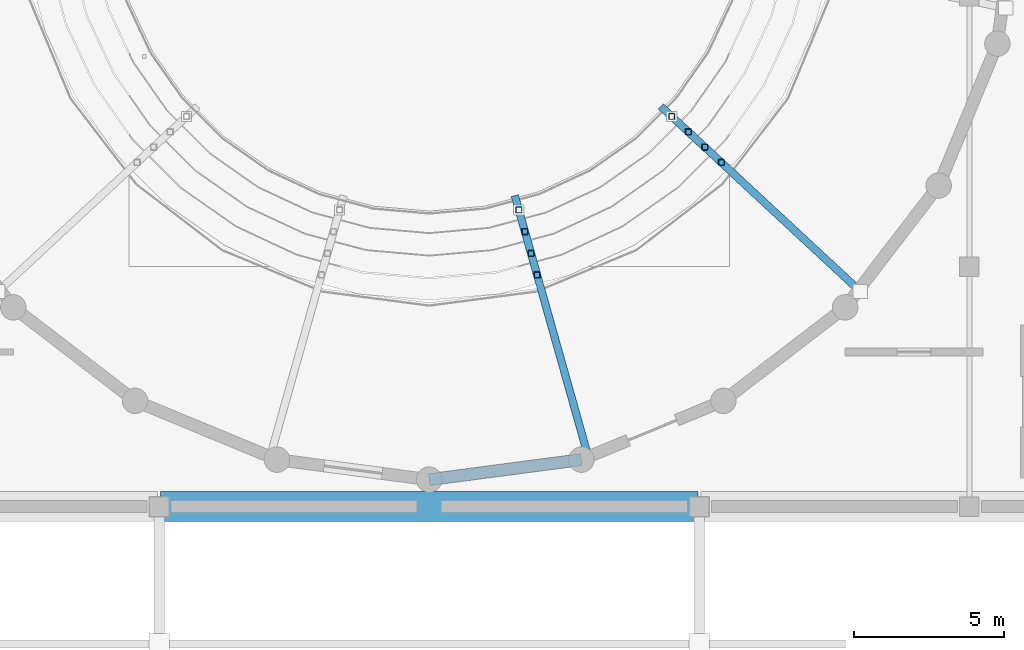
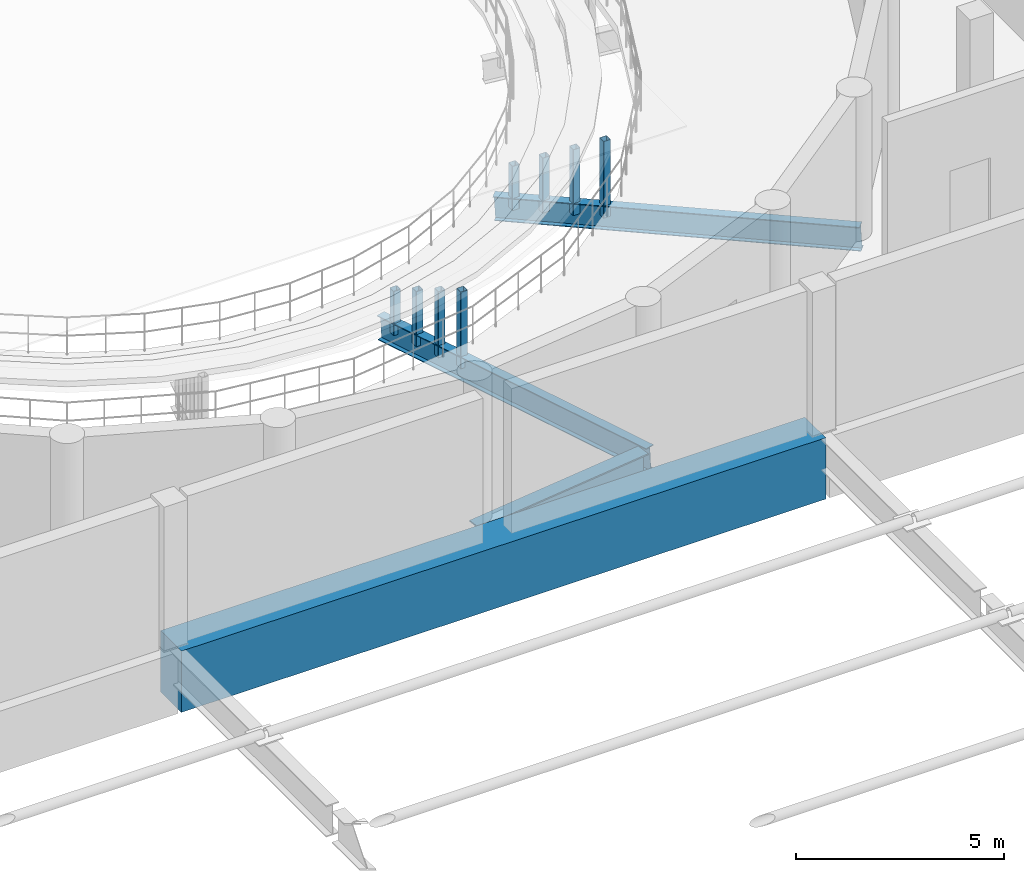
# One storey, part 18 of 54: 8 members, 4 beams.
"""IFC4 building model written with IfcOpenShell, lengths in metres."""

from ifc_helpers import new_model, si_unit, direction, frame, origin, origin_2d, place, context, subcontext, project, spatial, rectangle, hollow_rectangle, i_section, extrude, material, material_profile, profile_set, type_object, element, save


model = new_model("IFC4")

# Units and contexts
model_context = context("Model", 3, precision=1e-05, world=origin(), true_north=direction((0.0, 1.0)))
body_context = subcontext(model_context, "Body", "Model", "MODEL_VIEW")
ifc_project = project(units=[si_unit("LENGTHUNIT", "METRE"), si_unit("AREAUNIT", "SQUARE_METRE"), si_unit("VOLUMEUNIT", "CUBIC_METRE"), si_unit("PLANEANGLEUNIT", "RADIAN"), si_unit("MASSUNIT", "GRAM", prefix="KILO")], contexts=[model_context])

# Site, building, storey
site_placement = place(None, origin())
site = spatial("IfcSite", under=ifc_project, at=site_placement, CompositionType="ELEMENT")
building_placement = place(site_placement, origin())
building = spatial("IfcBuilding", under=site, at=building_placement, Name="Marnock Terrace Opera House", CompositionType="ELEMENT")
storey_placement = place(building_placement, frame((0.0, 0.0, 19.199951171875)))
storey = spatial("IfcBuildingStorey", under=building, at=storey_placement, Name="L04", CompositionType="ELEMENT", Elevation=19.199951171875)

# Beams
ifc_material_1 = material(Name="Steel Grade 350 Welded (AS/NZS 3679.2)", Category="steel")
ifc_material_profile_1 = material_profile(ifc_material_1, i_section(OverallWidth=0.25, OverallDepth=0.699951171875, WebThickness=0.011962890625, FlangeThickness=0.02001953125, at=origin_2d()))
ifc_profile_set_1 = profile_set([ifc_material_profile_1], Name="Steel Grade 350 Welded (AS/NZS 3679.2)")
beam_type_1 = type_object("IfcBeamType", Name="BM-RAKER-700", PredefinedType="BEAM", material=ifc_profile_set_1)
beam_1_placement = place(storey_placement, frame((84.857421875, 50.34423828125, -1.14990234375), z_axis=(0.270420407323, -0.961096752439, 0.056265760049), x_axis=(0.962621711454, 0.270849479668, 0.0)))
element("IfcBeam", 1, at=beam_1_placement, inside=storey, type_object=beam_type_1, Name="L04 Auditorium raker girder 5", PredefinedType="BEAM", context=body_context, shape_type="SweptSolid", body=[
    extrude(i_section(OverallWidth=0.25, OverallDepth=0.699951171875, WebThickness=0.011962890625, FlangeThickness=0.02001953125, at=origin_2d()), origin(), (0.0, 0.0, 1.0), 9.064208984375),
])
beam_2_placement = place(storey_placement, frame((89.733642578125, 53.32421875, -1.14990234375), z_axis=(0.73190120059, -0.679083865845, 0.056264871128), x_axis=(0.68016132476, 0.733062461391, 0.0)))
element("IfcBeam", 2, at=beam_2_placement, inside=storey, type_object=beam_type_1, Name="L04 Auditorium raker girder 6", PredefinedType="BEAM", context=body_context, shape_type="SweptSolid", body=[
    extrude(i_section(OverallWidth=0.25, OverallDepth=0.699951171875, WebThickness=0.011962890625, FlangeThickness=0.02001953125, at=origin_2d()), origin(), (0.0, 0.0, 1.0), 9.064453125),
])
ifc_material_profile_2 = material_profile(ifc_material_1, i_section(OverallWidth=0.39990234375, OverallDepth=1.02392578125, WebThickness=0.01611328125, FlangeThickness=0.035888671875, at=origin_2d()))
ifc_profile_set_2 = profile_set([ifc_material_profile_2], Name="Steel Grade 350 Welded (AS/NZS 3679.2)")
beam_type_2 = type_object("IfcBeamType", Name="BM-XFER-1000", PredefinedType="BEAM", material=ifc_profile_set_2)
beam_3_placement = place(storey_placement, frame((82.0, 40.89990234375, -0.761962890625), z_axis=(0.99143625958, 0.130591512704, 0.0), x_axis=(-0.130591512704, 0.99143625958, 0.0)))
element("IfcBeam", 3, at=beam_3_placement, inside=storey, type_object=beam_type_2, Name="Drum grand-foyer portal transfer girder 18", PredefinedType="BEAM", context=body_context, shape_type="SweptSolid", body=[
    extrude(i_section(OverallWidth=0.39990234375, OverallDepth=1.02392578125, WebThickness=0.01611328125, FlangeThickness=0.035888671875, at=origin_2d()), origin(), (0.0, 0.0, 1.0), 5.11669921875),
])
ifc_material_2 = material(Name="Concrete N50 (f'c = 50 MPa)", Category="concrete")
ifc_material_profile_3 = material_profile(ifc_material_2, rectangle(XDim=1.0, YDim=1.800048828125, at=origin_2d()))
ifc_profile_set_3 = profile_set([ifc_material_profile_3], Name="Concrete N50 (f'c = 50 MPa)")
beam_type_3 = type_object("IfcBeamType", Name="BM-XFER-RC1000", PredefinedType="BEAM", material=ifc_profile_set_3)
beam_4_placement = place(storey_placement, frame((73.050048828125, 40.0, -0.89990234375), z_axis=(1.0, 0.0, 0.0), x_axis=(0.0, 1.0, 0.0)))
element("IfcBeam", 4, at=beam_4_placement, inside=storey, type_object=beam_type_3, Name="Barrel vault 2 north end transfer beam", PredefinedType="BEAM", context=body_context, shape_type="SweptSolid", body=[
    extrude(rectangle(XDim=1.0, YDim=1.800048828125, at=origin_2d()), origin(), (0.0, 0.0, 1.0), 17.89990234375),
])

# Members
ifc_material_3 = material(Name="Cold-formed Steel Grade C350L0 (AS/NZS 1163)", Category="steel")
ifc_material_profile_4 = material_profile(ifc_material_3, hollow_rectangle(XDim=0.199951171875, YDim=0.199951171875, WallThickness=0.009033203125, InnerFilletRadius=0.009033203125, OuterFilletRadius=0.01806640625, at=origin_2d()))
ifc_profile_set_4 = profile_set([ifc_material_profile_4], Name="Cold-formed Steel Grade C350L0 (AS/NZS 1163)")
member_type = type_object("IfcMemberType", Name="MEM-TRUSS-WEB2", PredefinedType="BRACE", material=ifc_profile_set_4)
member_1_placement = place(storey_placement, frame((84.986083984375, 49.88720703125, -1.123046875), z_axis=(0.0, 0.0, 1.0), x_axis=(1.0, 0.0, 0.0)))
element("IfcMember", 5, at=member_1_placement, inside=storey, type_object=member_type, Name="L04 Auditorium tier support post 5.1", PredefinedType="BRACE", context=body_context, shape_type="SweptSolid", body=[
    extrude(hollow_rectangle(XDim=0.199951171875, YDim=0.199951171875, WallThickness=0.009033203125, InnerFilletRadius=0.009033203125, OuterFilletRadius=0.01806640625, at=origin_2d()), origin(), (0.0, 0.0, 1.0), 1.298095703125),
])
member_2_placement = place(storey_placement, frame((85.189208984375, 49.1650390625, -1.0810546875), z_axis=(0.0, 0.0, 1.0), x_axis=(1.0, 0.0, 0.0)))
element("IfcMember", 6, at=member_2_placement, inside=storey, type_object=member_type, Name="L04 Auditorium tier support post 5.2", PredefinedType="BRACE", context=body_context, shape_type="SweptSolid", body=[
    extrude(hollow_rectangle(XDim=0.199951171875, YDim=0.199951171875, WallThickness=0.009033203125, InnerFilletRadius=0.009033203125, OuterFilletRadius=0.01806640625, at=origin_2d()), origin(), (0.0, 0.0, 1.0), 1.6162109375),
])
member_3_placement = place(storey_placement, frame((85.392333984375, 48.443115234375, -1.03857421875), z_axis=(0.0, 0.0, 1.0), x_axis=(1.0, 0.0, 0.0)))
element("IfcMember", 7, at=member_3_placement, inside=storey, type_object=member_type, Name="L04 Auditorium tier support post 5.3", PredefinedType="BRACE", context=body_context, shape_type="SweptSolid", body=[
    extrude(hollow_rectangle(XDim=0.199951171875, YDim=0.199951171875, WallThickness=0.009033203125, InnerFilletRadius=0.009033203125, OuterFilletRadius=0.01806640625, at=origin_2d()), origin(), (0.0, 0.0, 1.0), 1.93359375),
])
member_4_placement = place(storey_placement, frame((85.595458984375, 47.72119140625, -0.996337890625), z_axis=(0.0, 0.0, 1.0), x_axis=(1.0, 0.0, 0.0)))
element("IfcMember", 8, at=member_4_placement, inside=storey, type_object=member_type, Name="L04 Auditorium tier support post 5.4", PredefinedType="BRACE", context=body_context, shape_type="SweptSolid", body=[
    extrude(hollow_rectangle(XDim=0.199951171875, YDim=0.199951171875, WallThickness=0.009033203125, InnerFilletRadius=0.009033203125, OuterFilletRadius=0.01806640625, at=origin_2d()), origin(), (0.0, 0.0, 1.0), 2.25146484375),
])
member_5_placement = place(storey_placement, frame((90.081787109375, 53.001220703125, -1.123046875), z_axis=(0.0, 0.0, 1.0), x_axis=(1.0, 0.0, 0.0)))
element("IfcMember", 9, at=member_5_placement, inside=storey, type_object=member_type, Name="L04 Auditorium tier support post 6.1", PredefinedType="BRACE", context=body_context, shape_type="SweptSolid", body=[
    extrude(hollow_rectangle(XDim=0.199951171875, YDim=0.199951171875, WallThickness=0.009033203125, InnerFilletRadius=0.009033203125, OuterFilletRadius=0.01806640625, at=origin_2d()), origin(), (0.0, 0.0, 1.0), 1.298095703125),
])
member_6_placement = place(storey_placement, frame((90.631591796875, 52.490966796875, -1.0810546875), z_axis=(0.0, 0.0, 1.0), x_axis=(1.0, 0.0, 0.0)))
element("IfcMember", 10, at=member_6_placement, inside=storey, type_object=member_type, Name="L04 Auditorium tier support post 6.2", PredefinedType="BRACE", context=body_context, shape_type="SweptSolid", body=[
    extrude(hollow_rectangle(XDim=0.199951171875, YDim=0.199951171875, WallThickness=0.009033203125, InnerFilletRadius=0.009033203125, OuterFilletRadius=0.01806640625, at=origin_2d()), origin(), (0.0, 0.0, 1.0), 1.6162109375),
])
member_7_placement = place(storey_placement, frame((91.181396484375, 51.980712890625, -1.03857421875), z_axis=(0.0, 0.0, 1.0), x_axis=(1.0, 0.0, 0.0)))
element("IfcMember", 11, at=member_7_placement, inside=storey, type_object=member_type, Name="L04 Auditorium tier support post 6.3", PredefinedType="BRACE", context=body_context, shape_type="SweptSolid", body=[
    extrude(hollow_rectangle(XDim=0.199951171875, YDim=0.199951171875, WallThickness=0.009033203125, InnerFilletRadius=0.009033203125, OuterFilletRadius=0.01806640625, at=origin_2d()), origin(), (0.0, 0.0, 1.0), 1.93359375),
])
member_8_placement = place(storey_placement, frame((91.731201171875, 51.470703125, -0.996337890625), z_axis=(0.0, 0.0, 1.0), x_axis=(1.0, 0.0, 0.0)))
element("IfcMember", 12, at=member_8_placement, inside=storey, type_object=member_type, Name="L04 Auditorium tier support post 6.4", PredefinedType="BRACE", context=body_context, shape_type="SweptSolid", body=[
    extrude(hollow_rectangle(XDim=0.199951171875, YDim=0.199951171875, WallThickness=0.009033203125, InnerFilletRadius=0.009033203125, OuterFilletRadius=0.01806640625, at=origin_2d()), origin(), (0.0, 0.0, 1.0), 2.25146484375),
])

save(model, "model.ifc")
